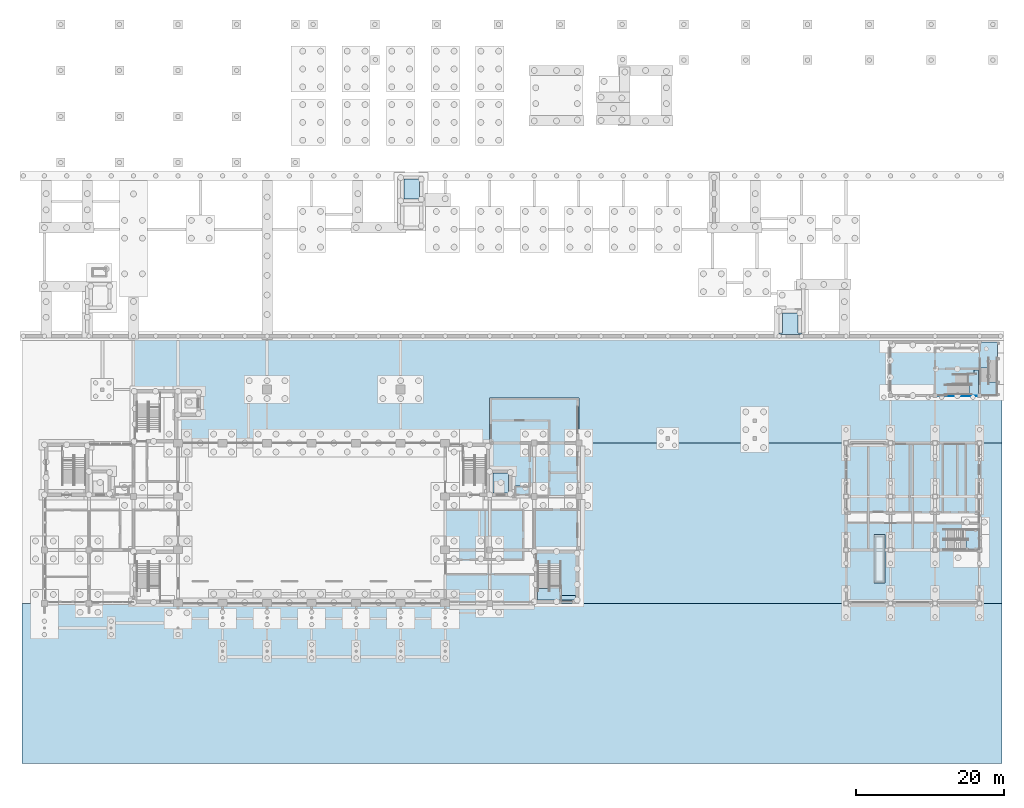
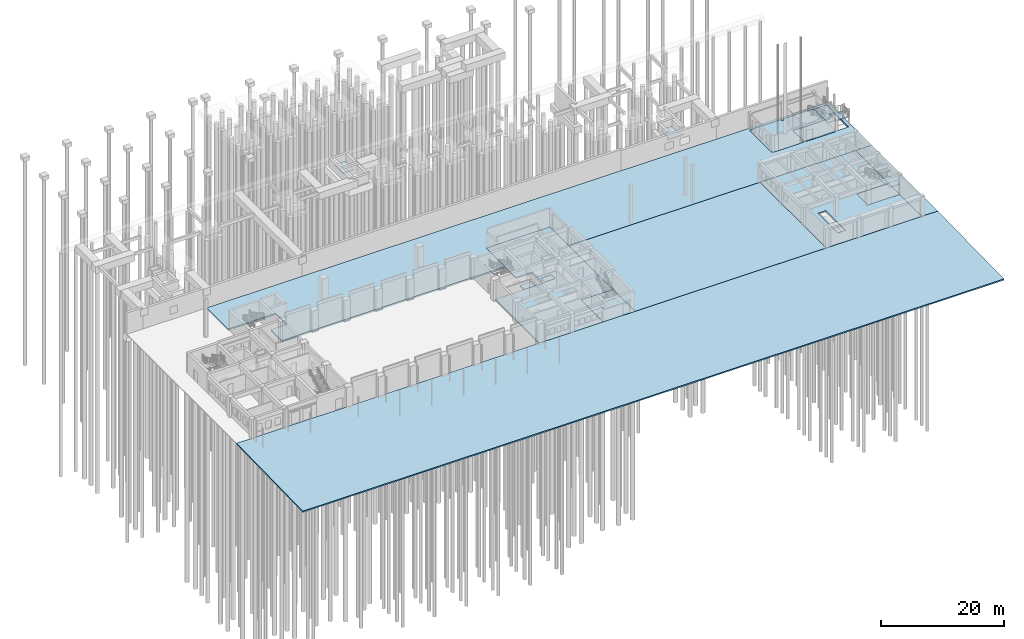
# One storey, part 19 of 37: 21 slabs, 4 elements without a shape of their own.
"""IFC4 building model written with IfcOpenShell, lengths in metres."""

from ifc_helpers import new_model, si_unit, direction, frame, origin, place, context, subcontext, project, spatial, polyline, outline, extrude, material, layer, layer_set, type_object, element, aggregate, save


model = new_model("IFC4")

# Units and contexts
model_context = context("Model", 3, precision=1e-05, world=origin(), true_north=direction((0.0, 1.0)))
body_context = subcontext(model_context, "Body", "Model", "MODEL_VIEW")
ifc_project = project(units=[si_unit("LENGTHUNIT", "METRE"), si_unit("AREAUNIT", "SQUARE_METRE"), si_unit("VOLUMEUNIT", "CUBIC_METRE"), si_unit("PLANEANGLEUNIT", "RADIAN"), si_unit("MASSUNIT", "GRAM", prefix="KILO")], contexts=[model_context])

# Site, building, storey
site_placement = place(None, origin())
site = spatial("IfcSite", under=ifc_project, at=site_placement, CompositionType="ELEMENT")
building_placement = place(site_placement, origin())
building = spatial("IfcBuilding", under=site, at=building_placement, Name="Laocheng Heights Fire and Rescue Headquarters", CompositionType="ELEMENT")
storey_placement = place(building_placement, origin())
storey = spatial("IfcBuildingStorey", under=building, at=storey_placement, Name="L00", CompositionType="ELEMENT", Elevation=0.0)

# Slabs
ifc_material_1 = material(Name="Concrete C35", Category="concrete")
ifc_layer_1 = layer(ifc_material_1, 0.25)
ifc_layer_set_1 = layer_set([ifc_layer_1], Name="Concrete C35")
slab_type_1 = type_object("IfcSlabType", Name="RC GROUND SLAB 250 DRILL TOWER", PredefinedType="BASESLAB", material=ifc_layer_set_1)
slab_1_placement = place(storey_placement, frame((0.0, 0.0, -0.25)))
element("IfcSlab", 1, at=slab_1_placement, inside=storey, type_object=slab_type_1, Name="Drill tower floor F1", PredefinedType="BASESLAB", context=body_context, shape_type="SweptSolid", body=[
    extrude(outline(polyline([(126.0, 31.60009765625), (126.0, 34.949951171875), (125.75, 34.949951171875), (125.75, 35.324951171875), (120.25, 35.324951171875), (120.25, 34.949951171875), (119.75, 34.949951171875), (119.75, 35.324951171875), (114.25, 35.324951171875), (114.25, 34.949951171875), (113.875, 34.949951171875), (113.875, 28.25), (114.25, 28.25), (114.25, 27.875), (119.75, 27.875), (119.75, 28.25), (120.0, 28.25), (120.0, 31.60009765625), (126.0, 31.60009765625)])), origin(), (0.0, 0.0, 1.0), 0.25),
])
slab_2_placement = place(storey_placement, frame((0.0, 0.0, -0.25)))
element("IfcSlab", 2, at=slab_2_placement, inside=storey, type_object=slab_type_1, Name="Drill tower floor F1", PredefinedType="BASESLAB", context=body_context, shape_type="SweptSolid", body=[
    extrude(outline(polyline([(120.25, 27.875), (125.75, 27.875), (125.75, 28.0), (120.25, 28.0), (120.25, 27.875)])), origin(), (0.0, 0.0, 1.0), 0.25),
])
ifc_material_2 = material(Name="Concrete C40", Category="concrete")
ifc_layer_2 = layer(ifc_material_2, 0.25)
ifc_layer_set_2 = layer_set([ifc_layer_2], Name="Concrete C40")
slab_type_2 = type_object("IfcSlabType", Name="RC GROUND SLAB PAVILION 250", PredefinedType="BASESLAB", material=ifc_layer_set_2)
slab_3_placement = place(storey_placement, frame((0.0, 0.0, -0.25)))
element("IfcSlab", 3, at=slab_3_placement, inside=storey, type_object=slab_type_2, Name="Pavilion floor slab on grade", PredefinedType="BASESLAB", context=body_context, shape_type="SweptSolid", body=[
    extrude(outline(polyline([(54.0, 0.0), (66.0, 0.0), (66.0, 7.199951171875), (72.0, 7.199951171875), (72.0, 27.699951171875), (60.0, 27.699951171875), (60.0, 18.0), (63.0, 18.0), (63.0, 14.39990234375), (54.0, 14.39990234375), (54.0, 0.0)]), holes=[polyline([(63.39990234375, 15.800048828125), (65.39990234375, 15.800048828125), (65.39990234375, 14.60009765625), (63.39990234375, 14.60009765625), (63.39990234375, 15.800048828125)])]), origin(), (0.0, 0.0, 1.0), 0.25),
])
ifc_material_3 = material(Name="Concrete C40", Category="concrete")
ifc_layer_3 = layer(ifc_material_3, 0.25)
ifc_layer_set_3 = layer_set([ifc_layer_3], Name="Concrete C40")
slab_type_3 = type_object("IfcSlabType", Name="RC GROUND SLAB WORKSHOP 250", PredefinedType="BASESLAB", material=ifc_layer_set_3)
slab_4_placement = place(storey_placement, frame((0.0, 0.0, -0.25)))
element("IfcSlab", 4, at=slab_4_placement, inside=storey, type_object=slab_type_3, Name="Workshop floor slab on grade", PredefinedType="BASESLAB", context=body_context, shape_type="SweptSolid", body=[
    extrude(outline(polyline([(126.0, 0.0), (126.0, 7.199951171875), (120.0, 7.199951171875), (120.0, 10.800048828125), (126.0, 10.800048828125), (126.0, 21.60009765625), (108.0, 21.60009765625), (108.0, 0.0), (126.0, 0.0)]), holes=[polyline([(113.25, 9.25), (113.25, 2.75), (111.75, 2.75), (111.75, 9.25), (113.25, 9.25)])]), origin(), (0.0, 0.0, 1.0), 0.25),
])
ifc_material_4 = material(Name="Concrete C40", Category="concrete")
ifc_layer_4 = layer(ifc_material_4, 0.280029296875)
ifc_layer_set_4 = layer_set([ifc_layer_4], Name="Concrete C40")
slab_type_4 = type_object("IfcSlabType", Name="RC LIFT PIT SLAB 280", PredefinedType="BASESLAB", material=ifc_layer_set_4)
slab_5_placement = place(storey_placement, frame((0.0, 0.0, 2.52001953125)))
element("IfcSlab", 5, at=slab_5_placement, inside=storey, type_object=slab_type_4, Name="Lift pit slab C-L1", PredefinedType="BASESLAB", context=body_context, shape_type="SweptSolid", body=[
    extrude(outline(polyline([(102.0, 36.22509765625), (102.0, 36.449951171875), (101.550048828125, 36.449951171875), (101.550048828125, 39.14990234375), (99.449951171875, 39.14990234375), (99.449951171875, 36.449951171875), (99.0, 36.449951171875), (99.0, 36.22509765625), (102.0, 36.22509765625)])), origin(), (0.0, 0.0, 1.0), 0.280029296875),
])
slab_6_placement = place(storey_placement, frame((0.0, 0.0, 2.52001953125)))
element("IfcSlab", 6, at=slab_6_placement, inside=storey, type_object=slab_type_4, Name="Lift pit slab H-L1", PredefinedType="BASESLAB", context=body_context, shape_type="SweptSolid", body=[
    extrude(outline(polyline([(48.449951171875, 57.14990234375), (48.449951171875, 54.449951171875), (50.550048828125, 54.449951171875), (50.550048828125, 57.14990234375), (48.449951171875, 57.14990234375)])), origin(), (0.0, 0.0, 1.0), 0.280029296875),
])
ifc_material_5 = material(Name="Concrete C35", Category="concrete")
ifc_layer_5 = layer(ifc_material_5, 0.25)
ifc_layer_set_5 = layer_set([ifc_layer_5], Name="Concrete C35")
slab_type_5 = type_object("IfcSlabType", Name="RC SLAB ON GRADE 250 FORECOURT APRON", PredefinedType="BASESLAB", material=ifc_layer_set_5)
slab_7_placement = place(storey_placement, frame((-3.0, -21.580078125, -0.431640625), z_axis=(0.0, -0.019997810233, 0.999800023798), x_axis=(1.0, 0.0, 0.0)))
element("IfcSlab", 7, at=slab_7_placement, inside=storey, type_object=slab_type_5, Name="Forecourt apron slab (falls to the street)", PredefinedType="BASESLAB", context=body_context, shape_type="SweptSolid", body=[
    extrude(outline(polyline([(0.0, 0.0), (132.0, 0.0), (132.0, 21.584394490238868), (0.0, 21.584394490238868), (0.0, 0.0)])), origin(), (0.0, 0.0, -1.0), 0.25),
])
ifc_material_6 = material(Name="Concrete C35", Category="concrete")
ifc_layer_6 = layer(ifc_material_6, 0.25)
ifc_layer_set_6 = layer_set([ifc_layer_6], Name="Concrete C35")
slab_type_6 = type_object("IfcSlabType", Name="RC SLAB ON GRADE 250 SERVICE COURT", PredefinedType="BASESLAB", material=ifc_layer_set_6)
slab_8_placement = place(storey_placement, frame((0.0, 0.0, -0.25)))
element("IfcSlab", 8, at=slab_8_placement, inside=storey, type_object=slab_type_6, Name="Site slab SL2 Service Court", PredefinedType="BASESLAB", context=body_context, shape_type="SweptSolid", body=[
    extrude(outline(polyline([(72.0, 21.60009765625), (72.0, 0.0), (108.0, 0.0), (108.0, 21.60009765625), (72.0, 21.60009765625)])), origin(), (0.0, 0.0, 1.0), 0.25),
])
slab_9_placement = place(storey_placement, frame((0.0, 0.0, -0.25)))
element("IfcSlab", 9, at=slab_9_placement, inside=storey, type_object=slab_type_6, Name="Site slab SL2 Service Court", PredefinedType="BASESLAB", context=body_context, shape_type="SweptSolid", body=[
    extrude(outline(polyline([(126.0, 21.60009765625), (126.0, 0.0), (129.0, 0.0), (129.0, 21.60009765625), (126.0, 21.60009765625)])), origin(), (0.0, 0.0, 1.0), 0.25),
])
ifc_material_7 = material(Name="Concrete C35", Category="concrete")
ifc_layer_7 = layer(ifc_material_7, 0.300048828125)
ifc_layer_set_7 = layer_set([ifc_layer_7], Name="Concrete C35")
slab_type_7 = type_object("IfcSlabType", Name="RC SLAB ON GRADE 300 REAR LANE", PredefinedType="BASESLAB", material=ifc_layer_set_7)
slab_10_placement = place(storey_placement, frame((0.0, 0.0, -0.300048828125)))
element("IfcSlab", 10, at=slab_10_placement, inside=storey, type_object=slab_type_7, Name="Site slab SL3 Rear Lane", PredefinedType="BASESLAB", context=body_context, shape_type="SweptSolid", body=[
    extrude(outline(polyline([(129.0, 21.60009765625), (129.0, 35.77490234375), (12.0, 35.77490234375), (12.0, 28.800048828125), (21.0, 28.800048828125), (21.0, 25.199951171875), (18.0, 25.199951171875), (18.0, 21.60009765625), (60.0, 21.60009765625), (60.0, 27.699951171875), (72.0, 27.699951171875), (72.0, 21.60009765625), (129.0, 21.60009765625)]), holes=[polyline([(126.0, 35.324951171875), (126.0, 35.199951171875), (128.39990234375, 35.199951171875), (128.39990234375, 28.0), (126.0, 28.0), (126.0, 27.875), (113.875, 27.875), (113.875, 35.324951171875), (126.0, 35.324951171875)])]), origin(), (0.0, 0.0, 1.0), 0.300048828125),
])
ifc_material_8 = material(Name="Concrete C30", Category="concrete")
ifc_layer_8 = layer(ifc_material_8, 0.25)
ifc_layer_set_8 = layer_set([ifc_layer_8], Name="Concrete C30")
slab_type_8 = type_object("IfcSlabType", Name="RISER FLOOR SLAB 250", PredefinedType="FLOOR", material=ifc_layer_set_8)
slab_11_placement = place(storey_placement, frame((0.0, 0.0, -0.25)))
element("IfcSlab", 11, at=slab_11_placement, inside=storey, type_object=slab_type_8, Name="Riser floor slab RE1", PredefinedType="FLOOR", context=body_context, shape_type="SweptSolid", body=[
    extrude(outline(polyline([(65.39990234375, 14.60009765625), (65.39990234375, 15.800048828125), (63.39990234375, 15.800048828125), (63.39990234375, 14.60009765625), (65.39990234375, 14.60009765625)])), origin(), (0.0, 0.0, 1.0), 0.25),
])

# Stair, slab
ifc_material_9 = material(Name="Concrete C40", Category="concrete")
stair_type_1 = type_object("IfcStairType", Name="RC STAIR 1400 TWO FLIGHTS 28 RISERS OF 150 GOING 260", PredefinedType="HALF_TURN_STAIR", material=ifc_material_9)
stair_1_placement = place(storey_placement, origin())
stair_1 = element("IfcStair", 12, at=stair_1_placement, inside=storey, type_object=stair_type_1, Name="Stair E2 (L00 to L01)", PredefinedType="HALF_TURN_STAIR")
ifc_material_10 = material(Name="Concrete C40", Category="concrete")
ifc_layer_9 = layer(ifc_material_10, 0.25)
ifc_layer_set_9 = layer_set([ifc_layer_9], Name="Concrete C40")
slab_type_9 = type_object("IfcSlabType", Name="STAIR FLOOR LANDING 250", PredefinedType="LANDING", material=ifc_layer_set_9)
slab_12_placement = place(storey_placement, frame((0.0, 0.0, -0.25)))
slab_12 = element("IfcSlab", 13, at=slab_12_placement, type_object=slab_type_9, Name="Stair E2 floor landing L00", PredefinedType="LANDING", context=body_context, shape_type="SweptSolid", body=[
    extrude(outline(polyline([(72.0, 0.0), (72.0, 7.199951171875), (66.0, 7.199951171875), (66.0, 0.0), (72.0, 0.0)])), origin(), (0.0, 0.0, 1.0), 0.25),
])

ifc_material_11 = material(Name="Concrete C40", Category="concrete")
stair_type_2 = type_object("IfcStairType", Name="RC STAIR 1200 TWO FLIGHTS 24 RISERS OF 175 GOING 250", PredefinedType="HALF_TURN_STAIR", material=ifc_material_11)
stair_2_placement = place(storey_placement, origin())
stair_2 = element("IfcStair", 14, at=stair_2_placement, inside=storey, type_object=stair_type_2, Name="Stair W3 (L00 to L01)", PredefinedType="HALF_TURN_STAIR")
slab_13_placement = place(storey_placement, frame((0.0, 0.0, -0.25)))
slab_13 = element("IfcSlab", 15, at=slab_13_placement, type_object=slab_type_9, Name="Stair W3 floor landing L00", PredefinedType="LANDING", context=body_context, shape_type="SweptSolid", body=[
    extrude(outline(polyline([(126.0, 7.199951171875), (126.0, 10.800048828125), (120.0, 10.800048828125), (120.0, 7.199951171875), (126.0, 7.199951171875)])), origin(), (0.0, 0.0, 1.0), 0.25),
])

ifc_material_12 = material(Name="Concrete C40", Category="concrete")
stair_type_3 = type_object("IfcStairType", Name="RC STAIR 1200 TWO FLIGHTS 20 RISERS OF 175 GOING 270", PredefinedType="HALF_TURN_STAIR", material=ifc_material_12)
stair_3_placement = place(storey_placement, origin())
stair_3 = element("IfcStair", 16, at=stair_3_placement, inside=storey, type_object=stair_type_3, Name="Stair T1 (F1 to F2)", PredefinedType="HALF_TURN_STAIR")
slab_14_placement = place(storey_placement, frame((0.0, 0.0, -0.25)))
slab_14 = element("IfcSlab", 17, at=slab_14_placement, type_object=slab_type_9, Name="Stair T1 floor landing F1", PredefinedType="LANDING", context=body_context, shape_type="SweptSolid", body=[
    extrude(outline(polyline([(126.0, 28.0), (126.0, 31.60009765625), (120.0, 31.60009765625), (120.0, 28.0), (126.0, 28.0)])), origin(), (0.0, 0.0, 1.0), 0.25),
])

stair_4_placement = place(storey_placement, origin())
stair_4 = element("IfcStair", 18, at=stair_4_placement, inside=storey, type_object=stair_type_3, Name="Stair T2 (F1 to F2)", PredefinedType="HALF_TURN_STAIR")
slab_15_placement = place(storey_placement, frame((0.0, 0.0, -0.25)))
slab_15 = element("IfcSlab", 19, at=slab_15_placement, type_object=slab_type_9, Name="Stair T2 floor landing F1", PredefinedType="LANDING", context=body_context, shape_type="SweptSolid", body=[
    extrude(outline(polyline([(126.0, 31.717041015625), (127.199951171875, 31.717041015625), (127.199951171875, 32.7080078125), (128.39990234375, 32.7080078125), (128.39990234375, 32.800048828125), (128.39990234375, 35.199951171875), (126.0, 35.199951171875), (126.0, 32.800048828125), (126.0, 32.800048828125), (126.0, 31.717041015625)])), origin(), (0.0, 0.0, 1.0), 0.25),
])

# Slab
ifc_material_13 = material(Name="Concrete C40", Category="concrete")
ifc_layer_10 = layer(ifc_material_13, 0.201904296875)
ifc_layer_set_10 = layer_set([ifc_layer_10], Name="Concrete C40")
slab_type_10 = type_object("IfcSlabType", Name="STAIR HALF LANDING 202", PredefinedType="LANDING", material=ifc_layer_set_10)
slab_16_placement = place(storey_placement, frame((0.0, 0.0, 1.89990234375)))
slab_16 = element("IfcSlab", 20, at=slab_16_placement, type_object=slab_type_10, Name="E2-L00 landing 1", PredefinedType="LANDING", context=body_context, shape_type="SweptSolid", body=[
    extrude(outline(polyline([(71.550048828125, 1.050048828125), (71.550048828125, 0.449951171875), (69.52490234375, 0.449951171875), (68.125, 0.449951171875), (66.449951171875, 0.449951171875), (66.449951171875, 1.972900390625), (68.125, 1.972900390625), (68.125, 2.270263671875), (69.52490234375, 2.270263671875), (69.52490234375, 1.050048828125), (71.550048828125, 1.050048828125)])), origin(), (0.0, 0.0, 1.0), 0.2021484375),
])

aggregate(stair_1, [slab_16, slab_12])

slab_17_placement = place(storey_placement, frame((0.0, 0.0, 1.89990234375)))
slab_17 = element("IfcSlab", 21, at=slab_17_placement, type_object=slab_type_10, Name="W3-L00 landing 1", PredefinedType="LANDING", context=body_context, shape_type="SweptSolid", body=[
    extrude(outline(polyline([(126.0, 7.199951171875), (124.14697265625, 7.199951171875), (124.14697265625, 8.699951171875), (123.888427734375, 8.699951171875), (123.888427734375, 9.89990234375), (126.0, 9.89990234375), (126.0, 8.699951171875), (126.0, 7.199951171875)])), origin(), (0.0, 0.0, 1.0), 0.2021484375),
])

aggregate(stair_2, [slab_17, slab_13])

slab_18_placement = place(storey_placement, frame((0.0, 0.0, 1.89990234375)))
slab_18 = element("IfcSlab", 22, at=slab_18_placement, type_object=slab_type_10, Name="T1-F1 landing 1", PredefinedType="LANDING", context=body_context, shape_type="SweptSolid", body=[
    extrude(outline(polyline([(125.27490234375, 31.47509765625), (125.875, 31.47509765625), (125.875, 30.800048828125), (125.875, 29.60009765625), (125.875, 28.125), (124.592041015625, 28.125), (124.592041015625, 29.60009765625), (124.503173828125, 29.60009765625), (124.503173828125, 30.800048828125), (125.27490234375, 30.800048828125), (125.27490234375, 31.47509765625)])), origin(), (0.0, 0.0, 1.0), 0.2021484375),
])

aggregate(stair_3, [slab_18, slab_14])

slab_19_placement = place(storey_placement, frame((0.0, 0.0, 1.89990234375)))
slab_19 = element("IfcSlab", 23, at=slab_19_placement, type_object=slab_type_10, Name="T2-F1 landing 1", PredefinedType="LANDING", context=body_context, shape_type="SweptSolid", body=[
    extrude(outline(polyline([(128.39990234375, 28.0), (128.39990234375, 29.8330078125), (127.199951171875, 29.8330078125), (127.199951171875, 29.921875), (126.0, 29.921875), (126.0, 28.0), (127.199951171875, 28.0), (128.39990234375, 28.0)])), origin(), (0.0, 0.0, 1.0), 0.2021484375),
])

aggregate(stair_4, [slab_19, slab_15])

# Slabs
ifc_material_14 = material(Name="Concrete C40", Category="concrete")
ifc_layer_11 = layer(ifc_material_14, 0.280029296875)
ifc_layer_set_11 = layer_set([ifc_layer_11], Name="Concrete C40")
slab_type_11 = type_object("IfcSlabType", Name="TANKED RC LIFT PIT SLAB 280 BELOW DESIGN FLOOD LEVEL", PredefinedType="BASESLAB", material=ifc_layer_set_11)
slab_20_placement = place(storey_placement, frame((0.0, 0.0, -1.679931640625)))
element("IfcSlab", 24, at=slab_20_placement, inside=storey, type_object=slab_type_11, Name="Lift pit slab E-L1", PredefinedType="BASESLAB", context=body_context, shape_type="SweptSolid", body=[
    extrude(outline(polyline([(60.449951171875, 17.550048828125), (60.449951171875, 14.85009765625), (62.550048828125, 14.85009765625), (62.550048828125, 17.550048828125), (60.449951171875, 17.550048828125)])), origin(), (0.0, 0.0, 1.0), 0.280029296875),
])
ifc_material_15 = material(Name="Concrete C40", Category="concrete")
ifc_layer_12 = layer(ifc_material_15, 0.25)
ifc_layer_set_12 = layer_set([ifc_layer_12], Name="Concrete C40")
slab_type_12 = type_object("IfcSlabType", Name="TANKED RC PIT BASE SLAB 250 C40", PredefinedType="BASESLAB", material=ifc_layer_set_12)
slab_21_placement = place(storey_placement, frame((0.0, 0.0, -1.25)))
element("IfcSlab", 25, at=slab_21_placement, inside=storey, type_object=slab_type_12, Name="Inspection pit base slab", PredefinedType="BASESLAB", context=body_context, shape_type="SweptSolid", body=[
    extrude(outline(polyline([(111.75, 2.75), (113.25, 2.75), (113.25, 9.25), (111.75, 9.25), (111.75, 2.75)])), origin(), (0.0, 0.0, 1.0), 0.25),
])

save(model, "model.ifc")
